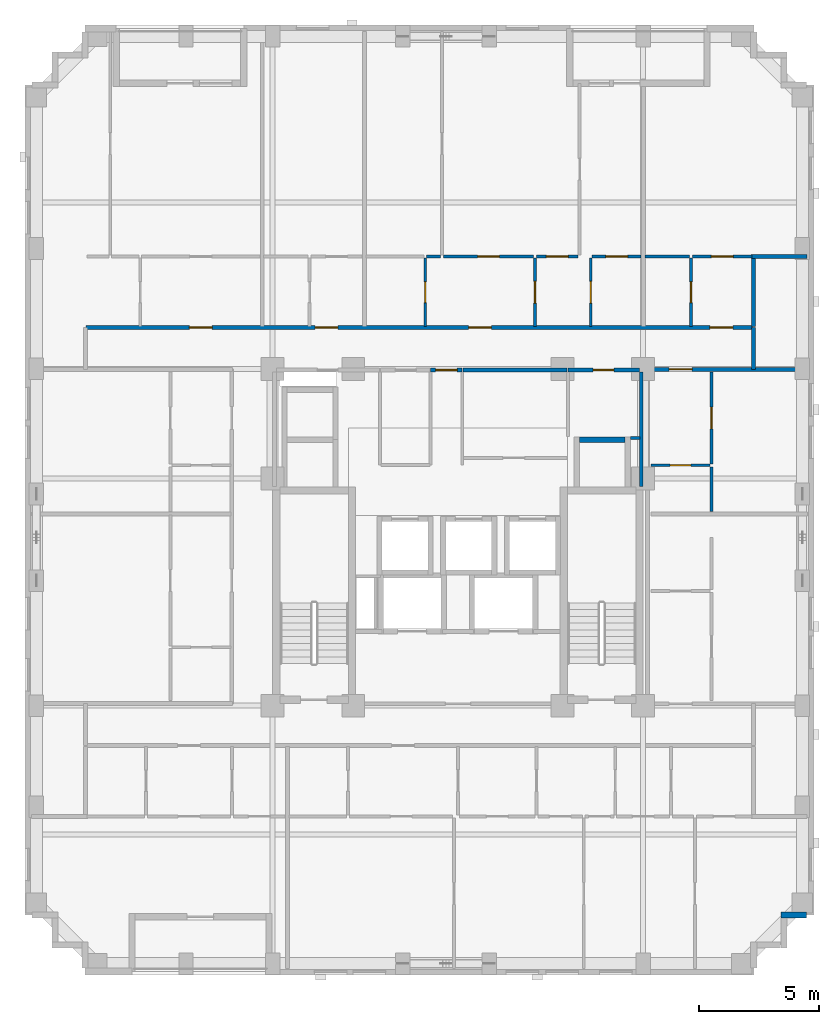
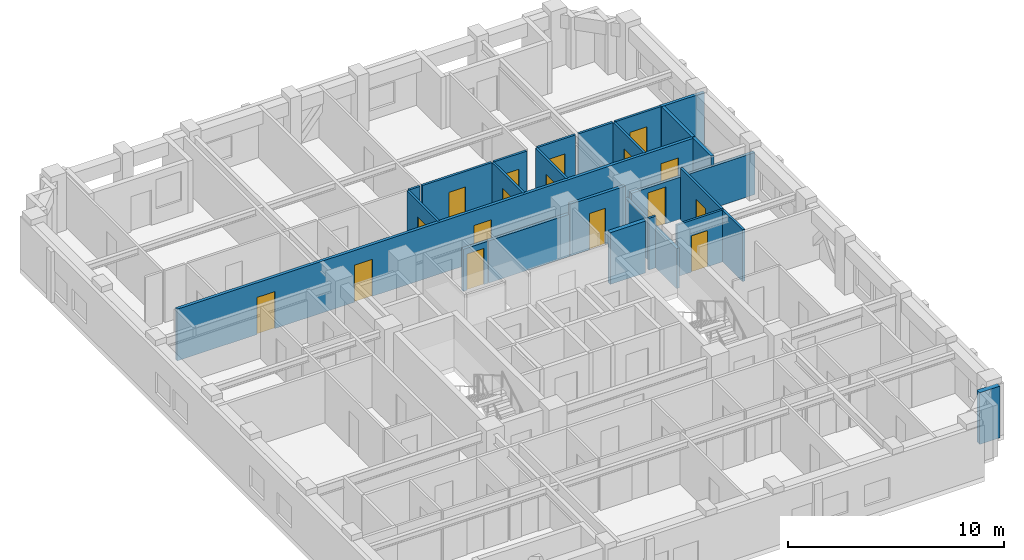
# One storey, part 6 of 11: 25 walls, 17 doors, 17 openings.
"""IFC4 building model written with IfcOpenShell, lengths in metres."""

from ifc_helpers import new_model, si_unit, derived_unit, direction, frame, frame_2d, origin, place, context, subcontext, project, spatial, rectangle, extrude, material, layer, layer_set, type_object, element, fill, save


model = new_model("IFC4")

# Units and contexts
model_context = context("Model", 3, precision=1e-05, world=origin(), true_north=direction((0.0, 1.0)))
body_context = subcontext(model_context, "Body", "Model", "MODEL_VIEW")
ifc_project = project(units=[si_unit("LENGTHUNIT", "METRE"), si_unit("AREAUNIT", "SQUARE_METRE"), si_unit("VOLUMEUNIT", "CUBIC_METRE"), si_unit("PLANEANGLEUNIT", "RADIAN"), si_unit("MASSUNIT", "GRAM", prefix="KILO"), derived_unit("THERMALTRANSMITTANCEUNIT", [(si_unit("MASSUNIT", "GRAM", prefix="KILO"), 1), (si_unit("TIMEUNIT", "SECOND"), -3), (si_unit("THERMODYNAMICTEMPERATUREUNIT", "KELVIN"), -1)])], contexts=[model_context])

# Site, building, storey
site_placement = place(None, origin())
site = spatial("IfcSite", under=ifc_project, at=site_placement, CompositionType="ELEMENT")
building_placement = place(site_placement, origin())
building = spatial("IfcBuilding", under=site, at=building_placement, Name="Korrvale Station Residences", CompositionType="ELEMENT")
storey_placement = place(building_placement, frame((0.0, 0.0, 166.64990234375)))
storey = spatial("IfcBuildingStorey", under=building, at=storey_placement, Name="L48", CompositionType="ELEMENT", Elevation=166.64990234375)

# Walls
ifc_material_1 = material(Name="Precast concrete C45/55", Category="concrete")
ifc_layer_1 = layer(ifc_material_1, 0.260009765625, Name="Precast concrete C45/55")
ifc_layer_set_1 = layer_set([ifc_layer_1], Name="Precast concrete C45/55")
wall_type_1 = type_object("IfcWallType", Name="WAL-EXT-LOG260", PredefinedType="SOLIDWALL", material=ifc_layer_set_1)
wall_1_placement = place(storey_placement, frame((39.998046875, 6.300048828125, 0.0), z_axis=(0.0, 0.0, 1.0), x_axis=(-1.0, 0.0, 0.0)))
element("IfcWall", 1, at=wall_1_placement, inside=storey, type_object=wall_type_1, Name="L48 Serrated Corner Precast Step SE-1", PredefinedType="SOLIDWALL", context=body_context, shape_type="SweptSolid", body=[
    extrude(rectangle(XDim=1.078125, YDim=0.260009765625, at=frame_2d((0.5390625, 0.0))), origin(), (0.0, 0.0, 1.0), 2.93017578125),
])
ifc_material_2 = material(Name="Acoustic steel-stud gypsum board partition", Category="steel")
ifc_layer_2 = layer(ifc_material_2, 0.1201171875, Name="Acoustic steel-stud gypsum board partition")
ifc_layer_set_2 = layer_set([ifc_layer_2], Name="Acoustic steel-stud gypsum board partition")
wall_type_2 = type_object("IfcWallType", Name="WAL-PART-125", PredefinedType="PARTITIONING", material=ifc_layer_set_2)
wall_2_placement = place(storey_placement, frame((32.679931640625, 26.1201171875, 0.0), z_axis=(0.0, 0.0, 1.0), x_axis=(1.0, 0.0, 0.0)))
element("IfcWall", 2, at=wall_2_placement, inside=storey, type_object=wall_type_2, Name="L48 Core Partition CW-CS-S", PredefinedType="PARTITIONING", context=body_context, shape_type="SweptSolid", body=[
    extrude(rectangle(XDim=0.380126953125, YDim=0.1201171875, at=frame_2d((0.18994140625, 0.0))), origin(), (0.0, 0.0, 1.0), 2.93017578125),
])

# Wall, opening, door
wall_3_placement = place(storey_placement, frame((24.14111328125, 30.760009765625, 0.0), z_axis=(0.0, 0.0, 1.0), x_axis=(0.0, 1.0, 0.0)))
wall_3 = element("IfcWall", 3, at=wall_3_placement, inside=storey, type_object=wall_type_2, Name="L48 Suite Partition U05-V01", PredefinedType="PARTITIONING", context=body_context, shape_type="SweptSolid", body=[
    extrude(rectangle(XDim=2.85009765625, YDim=0.1201171875, at=frame_2d((1.425048828125, 0.0))), origin(), (0.0, 0.0, 1.0), 2.93017578125),
])
opening_1_placement = place(wall_3_placement, frame((0.9951171875, 0.0, 0.0)))
opening_1 = element("IfcOpeningElement", 4, at=opening_1_placement, cuts=wall_3, Name="Opening DB-860", PredefinedType="OPENING", context=body_context, shape_type="SweptSolid", body=[
    extrude(rectangle(XDim=0.860107421875, YDim=2.050048828125, at=frame_2d((0.43017578125, 1.02490234375))), frame((0.0, 0.070068359375, 0.0), z_axis=(0.0, -1.0, 0.0), x_axis=(1.0, 0.0, 0.0)), (0.0, 0.0, 1.0), 0.14013671875),
])
ifc_material_3 = material(Name="Moisture-resistant solid-core bathroom door", Category="timber")
door_type_1 = type_object("IfcDoorType", Name="DR-BATH-860", OperationType="NOTDEFINED", PredefinedType="DOOR", material=ifc_material_3)
door_1_placement = place(opening_1_placement, origin())
door_1 = element("IfcDoor", 5, at=door_1_placement, inside=storey, type_object=door_type_1, Name="L48 Studio Apartment L48-U05 Bathroom Door", OperationType="SINGLE_SWING_LEFT", OverallHeight=2.050048828125, OverallWidth=0.860107421875, PredefinedType="DOOR", context=body_context, shape_type="SweptSolid", body=[
    extrude(rectangle(XDim=0.860107421875, YDim=2.050048828125, at=frame_2d((0.43017578125, 1.02490234375))), frame((0.0, 0.02490234375, 0.0), z_axis=(0.0, -1.0, 0.0), x_axis=(1.0, 0.0, 0.0)), (0.0, 0.0, 1.0), 0.050048828125),
])
fill(opening_1, door_1)

wall_4_placement = place(storey_placement, frame((28.700927734375, 30.760009765625, 0.0), z_axis=(0.0, 0.0, 1.0), x_axis=(0.0, 1.0, 0.0)))
wall_4 = element("IfcWall", 6, at=wall_4_placement, inside=storey, type_object=wall_type_2, Name="L48 Suite Partition U05-V12", PredefinedType="PARTITIONING", context=body_context, shape_type="SweptSolid", body=[
    extrude(rectangle(XDim=2.85009765625, YDim=0.1201171875, at=frame_2d((1.425048828125, 0.0))), origin(), (0.0, 0.0, 1.0), 2.93017578125),
])
opening_2_placement = place(wall_4_placement, frame((0.97509765625, 0.0, 0.0)))
opening_2 = element("IfcOpeningElement", 7, at=opening_2_placement, cuts=wall_4, Name="Opening DI-900", PredefinedType="OPENING", context=body_context, shape_type="SweptSolid", body=[
    extrude(rectangle(XDim=0.89990234375, YDim=2.050048828125, at=frame_2d((0.449951171875, 1.02490234375))), frame((0.0, 0.070068359375, 0.0), z_axis=(0.0, -1.0, 0.0), x_axis=(1.0, 0.0, 0.0)), (0.0, 0.0, 1.0), 0.14013671875),
])
ifc_material_4 = material(Name="Painted solid-core timber interior room door", Category="wood")
door_type_2 = type_object("IfcDoorType", Name="DR-INT-900", OperationType="NOTDEFINED", PredefinedType="DOOR", material=ifc_material_4)
door_2_placement = place(opening_2_placement, origin())
door_2 = element("IfcDoor", 8, at=door_2_placement, inside=storey, type_object=door_type_2, Name="L48 Studio Apartment L48-U05 Kitchen Door", OperationType="SINGLE_SWING_RIGHT", OverallHeight=2.050048828125, OverallWidth=0.89990234375, PredefinedType="DOOR", context=body_context, shape_type="SweptSolid", body=[
    extrude(rectangle(XDim=0.89990234375, YDim=2.050048828125, at=frame_2d((0.449951171875, 1.02490234375))), frame((0.0, 0.02490234375, 0.0), z_axis=(0.0, -1.0, 0.0), x_axis=(1.0, 0.0, 0.0)), (0.0, 0.0, 1.0), 0.050048828125),
])
fill(opening_2, door_2)

# Wall
wall_5_placement = place(storey_placement, frame((24.200927734375, 33.669921875, 0.0), z_axis=(0.0, 0.0, 1.0), x_axis=(1.0, 0.0, 0.0)))
element("IfcWall", 9, at=wall_5_placement, inside=storey, type_object=wall_type_2, Name="L48 Suite Partition U05-H14", PredefinedType="PARTITIONING", context=body_context, shape_type="SweptSolid", body=[
    extrude(rectangle(XDim=0.580078125, YDim=0.1201171875, at=frame_2d((0.2900390625, 0.0))), origin(), (0.0, 0.0, 1.0), 2.93017578125),
])

# Wall, opening, door
wall_6_placement = place(storey_placement, frame((24.90087890625, 33.669921875, 0.0), z_axis=(0.0, 0.0, 1.0), x_axis=(1.0, 0.0, 0.0)))
wall_6 = element("IfcWall", 10, at=wall_6_placement, inside=storey, type_object=wall_type_2, Name="L48 Suite Partition U05-H15", PredefinedType="PARTITIONING", context=body_context, shape_type="SweptSolid", body=[
    extrude(rectangle(XDim=3.740234375, YDim=0.1201171875, at=frame_2d((1.8701171875, 0.0))), origin(), (0.0, 0.0, 1.0), 2.93017578125),
])
opening_3_placement = place(wall_6_placement, frame((1.419921875, 0.0, 0.0)))
opening_3 = element("IfcOpeningElement", 11, at=opening_3_placement, cuts=wall_6, Name="Opening DI-900", PredefinedType="OPENING", context=body_context, shape_type="SweptSolid", body=[
    extrude(rectangle(XDim=0.89990234375, YDim=2.050048828125, at=frame_2d((0.449951171875, 1.02490234375))), frame((0.0, 0.070068359375, 0.0), z_axis=(0.0, -1.0, 0.0), x_axis=(1.0, 0.0, 0.0)), (0.0, 0.0, 1.0), 0.14013671875),
])
door_3_placement = place(opening_3_placement, origin())
door_3 = element("IfcDoor", 12, at=door_3_placement, inside=storey, type_object=door_type_2, Name="L48 Studio Apartment L48-U05 Kitchen Door", OperationType="SINGLE_SWING_LEFT", OverallHeight=2.050048828125, OverallWidth=0.89990234375, PredefinedType="DOOR", context=body_context, shape_type="SweptSolid", body=[
    extrude(rectangle(XDim=0.89990234375, YDim=2.050048828125, at=frame_2d((0.449951171875, 1.02490234375))), frame((0.0, 0.02490234375, 0.0), z_axis=(0.0, -1.0, 0.0), x_axis=(1.0, 0.0, 0.0)), (0.0, 0.0, 1.0), 0.050048828125),
])
fill(opening_3, door_3)

wall_7_placement = place(storey_placement, frame((31.02099609375, 30.760009765625, 0.0), z_axis=(0.0, 0.0, 1.0), x_axis=(0.0, 1.0, 0.0)))
wall_7 = element("IfcWall", 13, at=wall_7_placement, inside=storey, type_object=wall_type_2, Name="L48 Suite Partition U05-V23", PredefinedType="PARTITIONING", context=body_context, shape_type="SweptSolid", body=[
    extrude(rectangle(XDim=2.85009765625, YDim=0.1201171875, at=frame_2d((1.425048828125, 0.0))), origin(), (0.0, 0.0, 1.0), 2.93017578125),
])
opening_4_placement = place(wall_7_placement, frame((0.97509765625, 0.0, 0.0)))
opening_4 = element("IfcOpeningElement", 14, at=opening_4_placement, cuts=wall_7, Name="Opening DI-900", PredefinedType="OPENING", context=body_context, shape_type="SweptSolid", body=[
    extrude(rectangle(XDim=0.89990234375, YDim=2.050048828125, at=frame_2d((0.449951171875, 1.02490234375))), frame((0.0, 0.070068359375, 0.0), z_axis=(0.0, -1.0, 0.0), x_axis=(1.0, 0.0, 0.0)), (0.0, 0.0, 1.0), 0.14013671875),
])
door_4_placement = place(opening_4_placement, origin())
door_4 = element("IfcDoor", 15, at=door_4_placement, inside=storey, type_object=door_type_2, Name="L48 Studio Apartment L48-U05 Wardrobe Storage Room Door", OperationType="SINGLE_SWING_RIGHT", OverallHeight=2.050048828125, OverallWidth=0.89990234375, PredefinedType="DOOR", context=body_context, shape_type="SweptSolid", body=[
    extrude(rectangle(XDim=0.89990234375, YDim=2.050048828125, at=frame_2d((0.449951171875, 1.02490234375))), frame((0.0, 0.02490234375, 0.0), z_axis=(0.0, -1.0, 0.0), x_axis=(1.0, 0.0, 0.0)), (0.0, 0.0, 1.0), 0.050048828125),
])
fill(opening_4, door_4)

wall_8_placement = place(storey_placement, frame((28.760986328125, 33.669921875, 0.0), z_axis=(0.0, 0.0, 1.0), x_axis=(1.0, 0.0, 0.0)))
wall_8 = element("IfcWall", 16, at=wall_8_placement, inside=storey, type_object=wall_type_2, Name="L48 Suite Partition U05-H25", PredefinedType="PARTITIONING", context=body_context, shape_type="SweptSolid", body=[
    extrude(rectangle(XDim=1.739013671875, YDim=0.1201171875, at=frame_2d((0.86962890625, 0.0))), origin(), (0.0, 0.0, 1.0), 2.93017578125),
])
opening_5_placement = place(wall_8_placement, frame((0.419921875, 0.0, 0.0)))
opening_5 = element("IfcOpeningElement", 17, at=opening_5_placement, cuts=wall_8, Name="Opening DI-900", PredefinedType="OPENING", context=body_context, shape_type="SweptSolid", body=[
    extrude(rectangle(XDim=0.89990234375, YDim=2.050048828125, at=frame_2d((0.449951171875, 1.02490234375))), frame((0.0, 0.070068359375, 0.0), z_axis=(0.0, -1.0, 0.0), x_axis=(1.0, 0.0, 0.0)), (0.0, 0.0, 1.0), 0.14013671875),
])
door_5_placement = place(opening_5_placement, origin())
door_5 = element("IfcDoor", 18, at=door_5_placement, inside=storey, type_object=door_type_2, Name="L48 Studio Apartment L48-U05 Wardrobe Storage Room Door", OperationType="SINGLE_SWING_LEFT", OverallHeight=2.050048828125, OverallWidth=0.89990234375, PredefinedType="DOOR", context=body_context, shape_type="SweptSolid", body=[
    extrude(rectangle(XDim=0.89990234375, YDim=2.050048828125, at=frame_2d((0.449951171875, 1.02490234375))), frame((0.0, 0.02490234375, 0.0), z_axis=(0.0, -1.0, 0.0), x_axis=(1.0, 0.0, 0.0)), (0.0, 0.0, 1.0), 0.050048828125),
])
fill(opening_5, door_5)

wall_9_placement = place(storey_placement, frame((31.0810546875, 33.669921875, 0.0), z_axis=(0.0, 0.0, 1.0), x_axis=(1.0, 0.0, 0.0)))
wall_9 = element("IfcWall", 19, at=wall_9_placement, inside=storey, type_object=wall_type_2, Name="L48 Suite Partition U05-H36", PredefinedType="PARTITIONING", context=body_context, shape_type="SweptSolid", body=[
    extrude(rectangle(XDim=2.0390625, YDim=0.1201171875, at=frame_2d((1.01953125, 0.0))), origin(), (0.0, 0.0, 1.0), 2.93017578125),
])
opening_6_placement = place(wall_9_placement, frame((0.569091796875, 0.0, 0.0)))
opening_6 = element("IfcOpeningElement", 20, at=opening_6_placement, cuts=wall_9, Name="Opening DI-900", PredefinedType="OPENING", context=body_context, shape_type="SweptSolid", body=[
    extrude(rectangle(XDim=0.89990234375, YDim=2.050048828125, at=frame_2d((0.449951171875, 1.02490234375))), frame((0.0, 0.070068359375, 0.0), z_axis=(0.0, -1.0, 0.0), x_axis=(1.0, 0.0, 0.0)), (0.0, 0.0, 1.0), 0.14013671875),
])
door_6_placement = place(opening_6_placement, origin())
door_6 = element("IfcDoor", 21, at=door_6_placement, inside=storey, type_object=door_type_2, Name="L48 Studio Apartment L48-U05 Utility and Laundry Room Door", OperationType="SINGLE_SWING_RIGHT", OverallHeight=2.050048828125, OverallWidth=0.89990234375, PredefinedType="DOOR", context=body_context, shape_type="SweptSolid", body=[
    extrude(rectangle(XDim=0.89990234375, YDim=2.050048828125, at=frame_2d((0.449951171875, 1.02490234375))), frame((0.0, 0.02490234375, 0.0), z_axis=(0.0, -1.0, 0.0), x_axis=(1.0, 0.0, 0.0)), (0.0, 0.0, 1.0), 0.050048828125),
])
fill(opening_6, door_6)

wall_10_placement = place(storey_placement, frame((35.18994140625, 30.760009765625, 0.0), z_axis=(0.0, 0.0, 1.0), x_axis=(0.0, 1.0, 0.0)))
wall_10 = element("IfcWall", 22, at=wall_10_placement, inside=storey, type_object=wall_type_2, Name="L48 Suite Partition U06-V01", PredefinedType="PARTITIONING", context=body_context, shape_type="SweptSolid", body=[
    extrude(rectangle(XDim=2.85009765625, YDim=0.1201171875, at=frame_2d((1.425048828125, 0.0))), origin(), (0.0, 0.0, 1.0), 2.93017578125),
])
opening_7_placement = place(wall_10_placement, frame((0.9951171875, 0.0, 0.0)))
opening_7 = element("IfcOpeningElement", 23, at=opening_7_placement, cuts=wall_10, Name="Opening DB-860", PredefinedType="OPENING", context=body_context, shape_type="SweptSolid", body=[
    extrude(rectangle(XDim=0.860107421875, YDim=2.050048828125, at=frame_2d((0.43017578125, 1.02490234375))), frame((0.0, 0.070068359375, 0.0), z_axis=(0.0, -1.0, 0.0), x_axis=(1.0, 0.0, 0.0)), (0.0, 0.0, 1.0), 0.14013671875),
])
door_7_placement = place(opening_7_placement, origin())
door_7 = element("IfcDoor", 24, at=door_7_placement, inside=storey, type_object=door_type_1, Name="L48 Studio Apartment L48-U06 Bathroom Door", OperationType="SINGLE_SWING_LEFT", OverallHeight=2.050048828125, OverallWidth=0.860107421875, PredefinedType="DOOR", context=body_context, shape_type="SweptSolid", body=[
    extrude(rectangle(XDim=0.860107421875, YDim=2.050048828125, at=frame_2d((0.43017578125, 1.02490234375))), frame((0.0, 0.02490234375, 0.0), z_axis=(0.0, -1.0, 0.0), x_axis=(1.0, 0.0, 0.0)), (0.0, 0.0, 1.0), 0.050048828125),
])
fill(opening_7, door_7)

# Wall
wall_11_placement = place(storey_placement, frame((33.280029296875, 33.669921875, 0.0), z_axis=(0.0, 0.0, 1.0), x_axis=(1.0, 0.0, 0.0)))
element("IfcWall", 25, at=wall_11_placement, inside=storey, type_object=wall_type_2, Name="L48 Suite Partition U06-H02", PredefinedType="PARTITIONING", context=body_context, shape_type="SweptSolid", body=[
    extrude(rectangle(XDim=1.849853515625, YDim=0.1201171875, at=frame_2d((0.9248046875, 0.0))), origin(), (0.0, 0.0, 1.0), 2.93017578125),
])

# Wall, opening, door
wall_12_placement = place(storey_placement, frame((35.25, 33.669921875, 0.0), z_axis=(0.0, 0.0, 1.0), x_axis=(1.0, 0.0, 0.0)))
wall_12 = element("IfcWall", 26, at=wall_12_placement, inside=storey, type_object=wall_type_2, Name="L48 Suite Partition U06-H12", PredefinedType="PARTITIONING", context=body_context, shape_type="SweptSolid", body=[
    extrude(rectangle(XDim=2.469970703125, YDim=0.1201171875, at=frame_2d((1.23486328125, 0.0))), origin(), (0.0, 0.0, 1.0), 2.93017578125),
])
opening_8_placement = place(wall_12_placement, frame((0.784912109375, 0.0, 0.0)))
opening_8 = element("IfcOpeningElement", 27, at=opening_8_placement, cuts=wall_12, Name="Opening DI-900", PredefinedType="OPENING", context=body_context, shape_type="SweptSolid", body=[
    extrude(rectangle(XDim=0.89990234375, YDim=2.050048828125, at=frame_2d((0.449951171875, 1.02490234375))), frame((0.0, 0.070068359375, 0.0), z_axis=(0.0, -1.0, 0.0), x_axis=(1.0, 0.0, 0.0)), (0.0, 0.0, 1.0), 0.14013671875),
])
door_8_placement = place(opening_8_placement, origin())
door_8 = element("IfcDoor", 28, at=door_8_placement, inside=storey, type_object=door_type_2, Name="L48 Studio Apartment L48-U06 Kitchen Door", OperationType="SINGLE_SWING_RIGHT", OverallHeight=2.050048828125, OverallWidth=0.89990234375, PredefinedType="DOOR", context=body_context, shape_type="SweptSolid", body=[
    extrude(rectangle(XDim=0.89990234375, YDim=2.050048828125, at=frame_2d((0.449951171875, 1.02490234375))), frame((0.0, 0.02490234375, 0.0), z_axis=(0.0, -1.0, 0.0), x_axis=(1.0, 0.0, 0.0)), (0.0, 0.0, 1.0), 0.050048828125),
])
fill(opening_8, door_8)

wall_13_placement = place(storey_placement, frame((33.530029296875, 24.991943359375, 0.0), z_axis=(0.0, 0.0, 1.0), x_axis=(1.0, 0.0, 0.0)))
wall_13 = element("IfcWall", 29, at=wall_13_placement, inside=storey, type_object=wall_type_2, Name="L48 Suite Partition U10-H01", PredefinedType="PARTITIONING", context=body_context, shape_type="SweptSolid", body=[
    extrude(rectangle(XDim=2.449951171875, YDim=0.1201171875, at=frame_2d((1.22509765625, 0.0))), origin(), (0.0, 0.0, 1.0), 2.93017578125),
])
opening_9_placement = place(wall_13_placement, frame((0.794921875, 0.0, 0.0)))
opening_9 = element("IfcOpeningElement", 30, at=opening_9_placement, cuts=wall_13, Name="Opening DB-860", PredefinedType="OPENING", context=body_context, shape_type="SweptSolid", body=[
    extrude(rectangle(XDim=0.860107421875, YDim=2.050048828125, at=frame_2d((0.43017578125, 1.02490234375))), frame((0.0, 0.070068359375, 0.0), z_axis=(0.0, -1.0, 0.0), x_axis=(1.0, 0.0, 0.0)), (0.0, 0.0, 1.0), 0.14013671875),
])
door_9_placement = place(opening_9_placement, origin())
door_9 = element("IfcDoor", 31, at=door_9_placement, inside=storey, type_object=door_type_1, Name="L48 Apartment 1BR L48-U10 Bathroom Door", OperationType="SINGLE_SWING_LEFT", OverallHeight=2.050048828125, OverallWidth=0.860107421875, PredefinedType="DOOR", context=body_context, shape_type="SweptSolid", body=[
    extrude(rectangle(XDim=0.860107421875, YDim=2.050048828125, at=frame_2d((0.43017578125, 1.02490234375))), frame((0.0, 0.02490234375, 0.0), z_axis=(0.0, -1.0, 0.0), x_axis=(1.0, 0.0, 0.0)), (0.0, 0.0, 1.0), 0.050048828125),
])
fill(opening_9, door_9)

# Wall
wall_14_placement = place(storey_placement, frame((36.0400390625, 23.08203125, 0.0), z_axis=(0.0, 0.0, 1.0), x_axis=(0.0, 1.0, 0.0)))
element("IfcWall", 32, at=wall_14_placement, inside=storey, type_object=wall_type_2, Name="L48 Suite Partition U10-V02", PredefinedType="PARTITIONING", context=body_context, shape_type="SweptSolid", body=[
    extrude(rectangle(XDim=1.849853515625, YDim=0.1201171875, at=frame_2d((0.9248046875, 0.0))), origin(), (0.0, 0.0, 1.0), 2.93017578125),
])

# Wall, opening, door
wall_15_placement = place(storey_placement, frame((36.0400390625, 25.052001953125, 0.0), z_axis=(0.0, 0.0, 1.0), x_axis=(0.0, 1.0, 0.0)))
wall_15 = element("IfcWall", 33, at=wall_15_placement, inside=storey, type_object=wall_type_2, Name="L48 Suite Partition U10-V12", PredefinedType="PARTITIONING", context=body_context, shape_type="SweptSolid", body=[
    extrude(rectangle(XDim=3.80810546875, YDim=0.1201171875, at=frame_2d((1.904052734375, 0.0))), origin(), (0.0, 0.0, 1.0), 2.93017578125),
])
opening_10_placement = place(wall_15_placement, frame((1.4541015625, 0.0, 0.0)))
opening_10 = element("IfcOpeningElement", 34, at=opening_10_placement, cuts=wall_15, Name="Opening DI-900", PredefinedType="OPENING", context=body_context, shape_type="SweptSolid", body=[
    extrude(rectangle(XDim=0.89990234375, YDim=2.050048828125, at=frame_2d((0.449951171875, 1.02490234375))), frame((0.0, 0.070068359375, 0.0), z_axis=(0.0, -1.0, 0.0), x_axis=(1.0, 0.0, 0.0)), (0.0, 0.0, 1.0), 0.14013671875),
])
door_10_placement = place(opening_10_placement, origin())
door_10 = element("IfcDoor", 35, at=door_10_placement, inside=storey, type_object=door_type_2, Name="L48 Apartment 1BR L48-U10 Kitchen Door", OperationType="SINGLE_SWING_RIGHT", OverallHeight=2.050048828125, OverallWidth=0.89990234375, PredefinedType="DOOR", context=body_context, shape_type="SweptSolid", body=[
    extrude(rectangle(XDim=0.89990234375, YDim=2.050048828125, at=frame_2d((0.449951171875, 1.02490234375))), frame((0.0, 0.02490234375, 0.0), z_axis=(0.0, -1.0, 0.0), x_axis=(1.0, 0.0, 0.0)), (0.0, 0.0, 1.0), 0.050048828125),
])
fill(opening_10, door_10)

# Wall
ifc_material_5 = material(Name="Fire-rated twin-stud gypsum and mineral wool shaftwall assembly", Category="gypsum")
ifc_layer_3 = layer(ifc_material_5, 0.159912109375, Name="Fire-rated twin-stud gypsum and mineral wool shaftwall assembly")
ifc_layer_set_3 = layer_set([ifc_layer_3], Name="Fire-rated twin-stud gypsum and mineral wool shaftwall assembly")
wall_type_3 = type_object("IfcWallType", Name="WAL-PART-200", PredefinedType="PARTITIONING", material=ifc_layer_set_3)
wall_16_placement = place(storey_placement, frame((33.1201171875, 24.1201171875, 0.0), z_axis=(0.0, 0.0, 1.0), x_axis=(0.0, 1.0, 0.0)))
element("IfcWall", 36, at=wall_16_placement, inside=storey, type_object=wall_type_3, Name="L48 Core Partition CW-E-N", PredefinedType="PARTITIONING", context=body_context, shape_type="SweptSolid", body=[
    extrude(rectangle(XDim=4.759765625, YDim=0.159912109375, at=frame_2d((2.3798828125, 0.0))), origin(), (0.0, 0.0, 1.0), 2.26513671875),
])

# Wall, opening, door
wall_17_placement = place(storey_placement, frame((24.360107421875, 28.949951171875, 0.0), z_axis=(0.0, 0.0, 1.0), x_axis=(1.0, 0.0, 0.0)))
wall_17 = element("IfcWall", 37, at=wall_17_placement, inside=storey, type_object=wall_type_3, Name="L48 Core Partition CW-LLOB-N", PredefinedType="PARTITIONING", context=body_context, shape_type="SweptSolid", body=[
    extrude(rectangle(XDim=1.31982421875, YDim=0.159912109375, at=frame_2d((0.659912109375, 0.0))), origin(), (0.0, 0.0, 1.0), 2.382080078125),
])
opening_11_placement = place(wall_17_placement, frame((0.2099609375, 0.0, 0.0)))
opening_11 = element("IfcOpeningElement", 38, at=opening_11_placement, cuts=wall_17, Name="Opening DI-900", PredefinedType="OPENING", context=body_context, shape_type="SweptSolid", body=[
    extrude(rectangle(XDim=0.89990234375, YDim=2.050048828125, at=frame_2d((0.449951171875, 1.02490234375))), frame((0.0, 0.08984375, 0.0), z_axis=(0.0, -1.0, 0.0), x_axis=(1.0, 0.0, 0.0)), (0.0, 0.0, 1.0), 0.179931640625),
])
door_11_placement = place(opening_11_placement, origin())
door_11 = element("IfcDoor", 39, at=door_11_placement, inside=storey, type_object=door_type_2, Name="L48 Central Hallway North Passage Door", OperationType="SINGLE_SWING_LEFT", OverallHeight=2.050048828125, OverallWidth=0.89990234375, PredefinedType="DOOR", context=body_context, shape_type="SweptSolid", body=[
    extrude(rectangle(XDim=0.89990234375, YDim=2.050048828125, at=frame_2d((0.449951171875, 1.02490234375))), frame((0.0, 0.02490234375, 0.0), z_axis=(0.0, -1.0, 0.0), x_axis=(1.0, 0.0, 0.0)), (0.0, 0.0, 1.0), 0.050048828125),
])
fill(opening_11, door_11)

wall_18_placement = place(storey_placement, frame((30.080078125, 28.949951171875, 0.0), z_axis=(0.0, 0.0, 1.0), x_axis=(1.0, 0.0, 0.0)))
wall_18 = element("IfcWall", 40, at=wall_18_placement, inside=storey, type_object=wall_type_3, Name="L48 Core Partition CW-CS-N", PredefinedType="PARTITIONING", context=body_context, shape_type="SweptSolid", body=[
    extrude(rectangle(XDim=2.9599609375, YDim=0.159912109375, at=frame_2d((1.47998046875, 0.0))), origin(), (0.0, 0.0, 1.0), 2.93017578125),
])
opening_12_placement = place(wall_18_placement, frame((1.044921875, 0.0, 0.0)))
opening_12 = element("IfcOpeningElement", 41, at=opening_12_placement, cuts=wall_18, Name="Opening DB-860", PredefinedType="OPENING", context=body_context, shape_type="SweptSolid", body=[
    extrude(rectangle(XDim=0.860107421875, YDim=2.050048828125, at=frame_2d((0.43017578125, 1.02490234375))), frame((0.0, 0.08984375, 0.0), z_axis=(0.0, -1.0, 0.0), x_axis=(1.0, 0.0, 0.0)), (0.0, 0.0, 1.0), 0.179931640625),
])
door_12_placement = place(opening_12_placement, origin())
door_12 = element("IfcDoor", 42, at=door_12_placement, inside=storey, type_object=door_type_1, Name="L48 Parcel Room Door", OperationType="SINGLE_SWING_LEFT", OverallHeight=2.050048828125, OverallWidth=0.860107421875, PredefinedType="DOOR", context=body_context, shape_type="SweptSolid", body=[
    extrude(rectangle(XDim=0.860107421875, YDim=2.050048828125, at=frame_2d((0.43017578125, 1.02490234375))), frame((0.0, 0.02490234375, 0.0), z_axis=(0.0, -1.0, 0.0), x_axis=(1.0, 0.0, 0.0)), (0.0, 0.0, 1.0), 0.050048828125),
])
fill(opening_12, door_12)

# Walls
wall_19_placement = place(storey_placement, frame((25.719970703125, 28.949951171875, 0.0), z_axis=(0.0, 0.0, 1.0), x_axis=(1.0, 0.0, 0.0)))
element("IfcWall", 43, at=wall_19_placement, inside=storey, type_object=wall_type_3, Name="L48 Core Partition CW-FPLE-N", PredefinedType="PARTITIONING", context=body_context, shape_type="SweptSolid", body=[
    extrude(rectangle(XDim=4.320068359375, YDim=0.159912109375, at=frame_2d((2.16015625, 0.0))), origin(), (0.0, 0.0, 1.0), 2.382080078125),
])
wall_20_placement = place(storey_placement, frame((37.780029296875, 28.97998046875, 0.0), z_axis=(0.0, 0.0, 1.0), x_axis=(0.0, 1.0, 0.0)))
element("IfcWall", 44, at=wall_20_placement, inside=storey, type_object=wall_type_3, Name="L48 Corridor North East Cap", PredefinedType="PARTITIONING", context=body_context, shape_type="SweptSolid", body=[
    extrude(rectangle(XDim=1.739990234375, YDim=0.159912109375, at=frame_2d((0.8701171875, 0.0))), origin(), (0.0, 0.0, 1.0), 2.93017578125),
])
wall_21_placement = place(storey_placement, frame((37.679931640625, 33.669921875, 0.0), z_axis=(0.0, 0.0, 1.0), x_axis=(1.0, 0.0, 0.0)))
element("IfcWall", 45, at=wall_21_placement, inside=storey, type_object=wall_type_3, Name="L48 Corner Step Wall U06-R", PredefinedType="PARTITIONING", context=body_context, shape_type="SweptSolid", body=[
    extrude(rectangle(XDim=2.340087890625, YDim=0.159912109375, at=frame_2d((1.169921875, 0.0))), origin(), (0.0, 0.0, 1.0), 2.93017578125),
])
wall_22_placement = place(storey_placement, frame((37.780029296875, 30.760009765625, 0.0), z_axis=(0.0, 0.0, 1.0), x_axis=(0.0, 1.0, 0.0)))
element("IfcWall", 46, at=wall_22_placement, inside=storey, type_object=wall_type_3, Name="L48 Corner Step Cheek U06-R", PredefinedType="PARTITIONING", context=body_context, shape_type="SweptSolid", body=[
    extrude(rectangle(XDim=2.909912109375, YDim=0.159912109375, at=frame_2d((1.455078125, 0.0))), origin(), (0.0, 0.0, 1.0), 2.93017578125),
])

# Wall, opening, door
wall_23_placement = place(storey_placement, frame((33.3798828125, 28.97998046875, 0.0), z_axis=(0.0, 0.0, 1.0), x_axis=(1.0, 0.0, 0.0)))
wall_23 = element("IfcWall", 47, at=wall_23_placement, inside=storey, type_object=wall_type_3, Name="L48 Side Suite North Entry Wall U10", PredefinedType="PARTITIONING", context=body_context, shape_type="SweptSolid", body=[
    extrude(rectangle(XDim=6.64013671875, YDim=0.159912109375, at=frame_2d((3.320068359375, 0.0))), origin(), (0.0, 0.0, 1.0), 2.382080078125),
])
opening_13_placement = place(wall_23_placement, frame((0.89990234375, 0.0, 0.0)))
opening_13 = element("IfcOpeningElement", 48, at=opening_13_placement, cuts=wall_23, Name="Opening UD-950", PredefinedType="OPENING", context=body_context, shape_type="SweptSolid", body=[
    extrude(rectangle(XDim=0.949951171875, YDim=2.10009765625, at=frame_2d((0.47509765625, 1.050048828125))), frame((0.0, 0.08984375, 0.0), z_axis=(0.0, -1.0, 0.0), x_axis=(1.0, 0.0, 0.0)), (0.0, 0.0, 1.0), 0.179931640625),
])
ifc_material_6 = material(Name="Solid-core acoustic oak apartment entrance door", Category="timber")
door_type_3 = type_object("IfcDoorType", Name="DR-UNIT-950", OperationType="NOTDEFINED", PredefinedType="DOOR", material=ifc_material_6)
door_13_placement = place(opening_13_placement, origin())
door_13 = element("IfcDoor", 49, at=door_13_placement, inside=storey, type_object=door_type_3, Name="L48 Apartment L48-U10 Entrance Door", OperationType="SINGLE_SWING_RIGHT", OverallHeight=2.10009765625, OverallWidth=0.949951171875, PredefinedType="DOOR", context=body_context, shape_type="SweptSolid", body=[
    extrude(rectangle(XDim=0.949951171875, YDim=2.10009765625, at=frame_2d((0.47509765625, 1.050048828125))), frame((0.0, 0.02490234375, 0.0), z_axis=(0.0, -1.0, 0.0), x_axis=(1.0, 0.0, 0.0)), (0.0, 0.0, 1.0), 0.050048828125),
])
fill(opening_13, door_13)

# Wall, openings, doors
wall_24_placement = place(storey_placement, frame((10.050048828125, 30.719970703125, 0.0), z_axis=(0.0, 0.0, 1.0), x_axis=(1.0, 0.0, 0.0)))
wall_24 = element("IfcWall", 50, at=wall_24_placement, inside=storey, type_object=wall_type_3, Name="L48 Rated Corridor Wall N", PredefinedType="PARTITIONING", context=body_context, shape_type="SweptSolid", body=[
    extrude(rectangle(XDim=27.699951171875, YDim=0.159912109375, at=frame_2d((13.85009765625, 0.0))), origin(), (0.0, 0.0, 1.0), 2.93017578125),
])
opening_14_placement = place(wall_24_placement, frame((4.2880859375, 0.0, 0.0)))
opening_14 = element("IfcOpeningElement", 51, at=opening_14_placement, cuts=wall_24, Name="Opening UD-950", PredefinedType="OPENING", context=body_context, shape_type="SweptSolid", body=[
    extrude(rectangle(XDim=0.949951171875, YDim=2.10009765625, at=frame_2d((0.47509765625, 1.050048828125))), frame((0.0, 0.08984375, 0.0), z_axis=(0.0, -1.0, 0.0), x_axis=(1.0, 0.0, 0.0)), (0.0, 0.0, 1.0), 0.179931640625),
])
opening_15_placement = place(wall_24_placement, frame((9.514892578125, 0.0, 0.0)))
opening_15 = element("IfcOpeningElement", 52, at=opening_15_placement, cuts=wall_24, Name="Opening UD-950", PredefinedType="OPENING", context=body_context, shape_type="SweptSolid", body=[
    extrude(rectangle(XDim=0.949951171875, YDim=2.10009765625, at=frame_2d((0.47509765625, 1.050048828125))), frame((0.0, 0.08984375, 0.0), z_axis=(0.0, -1.0, 0.0), x_axis=(1.0, 0.0, 0.0)), (0.0, 0.0, 1.0), 0.179931640625),
])
opening_16_placement = place(wall_24_placement, frame((15.89599609375, 0.0, 0.0)))
opening_16 = element("IfcOpeningElement", 53, at=opening_16_placement, cuts=wall_24, Name="Opening UD-950", PredefinedType="OPENING", context=body_context, shape_type="SweptSolid", body=[
    extrude(rectangle(XDim=0.949951171875, YDim=2.10009765625, at=frame_2d((0.47509765625, 1.050048828125))), frame((0.0, 0.08984375, 0.0), z_axis=(0.0, -1.0, 0.0), x_axis=(1.0, 0.0, 0.0)), (0.0, 0.0, 1.0), 0.179931640625),
])
opening_17_placement = place(wall_24_placement, frame((25.925048828125, 0.0, 0.0)))
opening_17 = element("IfcOpeningElement", 54, at=opening_17_placement, cuts=wall_24, Name="Opening UD-950", PredefinedType="OPENING", context=body_context, shape_type="SweptSolid", body=[
    extrude(rectangle(XDim=0.949951171875, YDim=2.10009765625, at=frame_2d((0.47509765625, 1.050048828125))), frame((0.0, 0.08984375, 0.0), z_axis=(0.0, -1.0, 0.0), x_axis=(1.0, 0.0, 0.0)), (0.0, 0.0, 1.0), 0.179931640625),
])
door_14_placement = place(opening_14_placement, origin())
door_14 = element("IfcDoor", 55, at=door_14_placement, inside=storey, type_object=door_type_3, Name="L48 Apartment L48-U03 Entrance Door", OperationType="SINGLE_SWING_LEFT", OverallHeight=2.10009765625, OverallWidth=0.949951171875, PredefinedType="DOOR", context=body_context, shape_type="SweptSolid", body=[
    extrude(rectangle(XDim=0.949951171875, YDim=2.10009765625, at=frame_2d((0.47509765625, 1.050048828125))), frame((0.0, 0.02490234375, 0.0), z_axis=(0.0, -1.0, 0.0), x_axis=(1.0, 0.0, 0.0)), (0.0, 0.0, 1.0), 0.050048828125),
])
fill(opening_14, door_14)
door_15_placement = place(opening_15_placement, origin())
door_15 = element("IfcDoor", 56, at=door_15_placement, inside=storey, type_object=door_type_3, Name="L48 Apartment L48-U04 Entrance Door", OperationType="SINGLE_SWING_RIGHT", OverallHeight=2.10009765625, OverallWidth=0.949951171875, PredefinedType="DOOR", context=body_context, shape_type="SweptSolid", body=[
    extrude(rectangle(XDim=0.949951171875, YDim=2.10009765625, at=frame_2d((0.47509765625, 1.050048828125))), frame((0.0, 0.02490234375, 0.0), z_axis=(0.0, -1.0, 0.0), x_axis=(1.0, 0.0, 0.0)), (0.0, 0.0, 1.0), 0.050048828125),
])
fill(opening_15, door_15)
door_16_placement = place(opening_16_placement, origin())
door_16 = element("IfcDoor", 57, at=door_16_placement, inside=storey, type_object=door_type_3, Name="L48 Apartment L48-U05 Entrance Door", OperationType="SINGLE_SWING_LEFT", OverallHeight=2.10009765625, OverallWidth=0.949951171875, PredefinedType="DOOR", context=body_context, shape_type="SweptSolid", body=[
    extrude(rectangle(XDim=0.949951171875, YDim=2.10009765625, at=frame_2d((0.47509765625, 1.050048828125))), frame((0.0, 0.02490234375, 0.0), z_axis=(0.0, -1.0, 0.0), x_axis=(1.0, 0.0, 0.0)), (0.0, 0.0, 1.0), 0.050048828125),
])
fill(opening_16, door_16)
door_17_placement = place(opening_17_placement, origin())
door_17 = element("IfcDoor", 58, at=door_17_placement, inside=storey, type_object=door_type_3, Name="L48 Apartment L48-U06 Entrance Door", OperationType="SINGLE_SWING_RIGHT", OverallHeight=2.10009765625, OverallWidth=0.949951171875, PredefinedType="DOOR", context=body_context, shape_type="SweptSolid", body=[
    extrude(rectangle(XDim=0.949951171875, YDim=2.10009765625, at=frame_2d((0.47509765625, 1.050048828125))), frame((0.0, 0.02490234375, 0.0), z_axis=(0.0, -1.0, 0.0), x_axis=(1.0, 0.0, 0.0)), (0.0, 0.0, 1.0), 0.050048828125),
])
fill(opening_17, door_17)

# Wall
ifc_material_7 = material(Name="Concrete C60/75", Category="concrete")
ifc_layer_4 = layer(ifc_material_7, 0.219970703125, Name="Concrete C60/75")
ifc_layer_set_4 = layer_set([ifc_layer_4], Name="Concrete C60/75")
wall_type_4 = type_object("IfcWallType", Name="WAL-SHAFT-220-C60", PredefinedType="SHEAR", material=ifc_layer_set_4)
wall_25_placement = place(storey_placement, frame((30.550048828125, 26.06005859375, 0.0), z_axis=(0.0, 0.0, 1.0), x_axis=(1.0, 0.0, 0.0)))
element("IfcWall", 59, at=wall_25_placement, inside=storey, type_object=wall_type_4, Name="L48 Elevator PH-3 Hoistway Wall North", PredefinedType="SHEAR", context=body_context, shape_type="SweptSolid", body=[
    extrude(rectangle(XDim=1.89990234375, YDim=0.219970703125, at=frame_2d((0.949951171875, 0.0))), origin(), (0.0, 0.0, 1.0), 2.93017578125),
])

save(model, "model.ifc")
